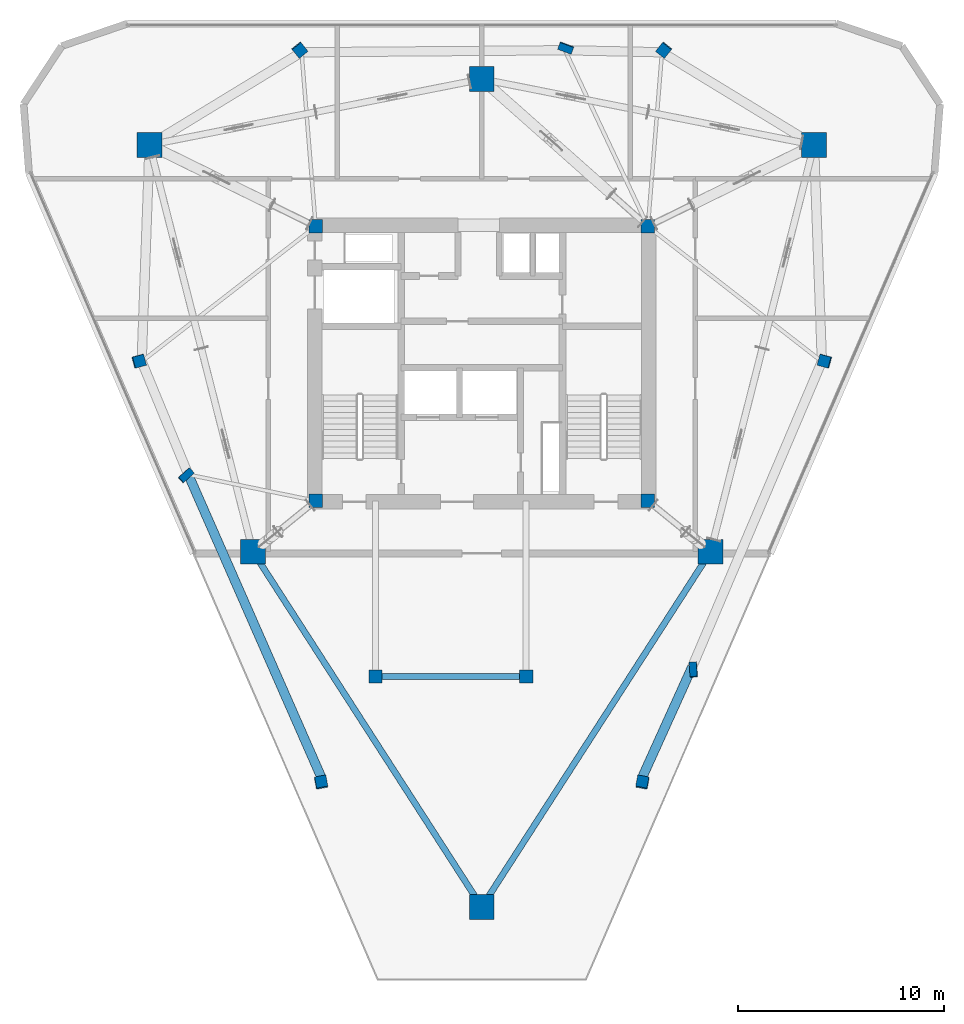
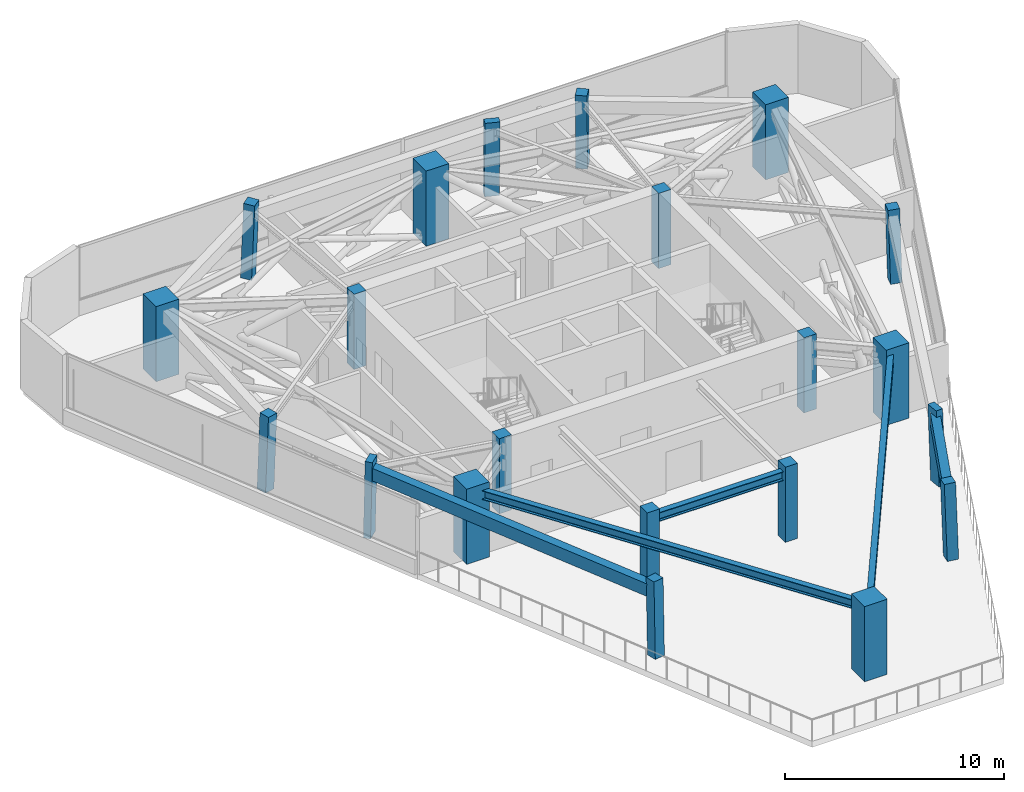
# One storey, part 1 of 10: 21 columns, 5 beams.
"""IFC4 building model written with IfcOpenShell, lengths in metres."""

from ifc_helpers import new_model, si_unit, direction, frame, origin, origin_2d, place, context, subcontext, project, spatial, rectangle, i_section, extrude, material, material_profile, profile_set, type_object, element, save


model = new_model("IFC4")

# Units and contexts
model_context = context("Model", 3, precision=1e-05, world=origin(), true_north=direction((0.0, 1.0)))
body_context = subcontext(model_context, "Body", "Model", "MODEL_VIEW")
ifc_project = project(units=[si_unit("LENGTHUNIT", "METRE"), si_unit("AREAUNIT", "SQUARE_METRE"), si_unit("VOLUMEUNIT", "CUBIC_METRE"), si_unit("PLANEANGLEUNIT", "RADIAN"), si_unit("MASSUNIT", "GRAM", prefix="KILO")], contexts=[model_context])

# Site, building, storey
site_placement = place(None, origin())
site = spatial("IfcSite", under=ifc_project, at=site_placement, CompositionType="ELEMENT")
building_placement = place(site_placement, origin())
building = spatial("IfcBuilding", under=site, at=building_placement, Name="Talyreon Biosciences Tower", CompositionType="ELEMENT")
storey_placement = place(building_placement, frame((0.0, 0.0, 275.39990234375)))
storey = spatial("IfcBuildingStorey", under=building, at=storey_placement, Name="L73", CompositionType="ELEMENT", Elevation=275.39990234375)

# Columns
ifc_material_1 = material(Name="Precast concrete C45/55", Category="concrete")
ifc_material_profile_1 = material_profile(ifc_material_1, rectangle(XDim=0.699951171875, YDim=0.35009765625, at=origin_2d()), Name="RC 700x350")
ifc_profile_set_1 = profile_set([ifc_material_profile_1], Name="Precast concrete C45/55")
column_type_1 = type_object("IfcColumnType", Name="FacadePilaster_700x350", PredefinedType="PILASTER", material=ifc_profile_set_1)
column_1_placement = place(storey_placement, frame((76.263427734375, 53.1533203125, 0.003173828125), z_axis=(-0.017044742667, 0.033333233953, 0.999298940389), x_axis=(0.06435515476, -0.99733516546, 0.034365415657)))
element("IfcColumn", 1, at=column_1_placement, inside=storey, type_object=column_type_1, Name="L73 Facade Pilaster PL-SE", PredefinedType="PILASTER", context=body_context, shape_type="SweptSolid", body=[
    extrude(rectangle(XDim=0.699951171875, YDim=0.35009765625, at=origin_2d()), origin(), (0.0, 0.0, 1.0), 4.19677734375),
])
column_2_placement = place(storey_placement, frame((70.076416015625, 83.311767578125, 0.003173828125), z_axis=(-0.010822566955, -0.029151107766, 0.999516425558), x_axis=(-0.937477612418, 0.348045580658, 0.0)))
element("IfcColumn", 2, at=column_2_placement, inside=storey, type_object=column_type_1, Name="L73 Facade Pilaster PL-N", PredefinedType="PILASTER", context=body_context, shape_type="SweptSolid", body=[
    extrude(rectangle(XDim=0.699951171875, YDim=0.35009765625, at=origin_2d()), origin(), (0.0, 0.0, 1.0), 4.19580078125),
])
column_3_placement = place(storey_placement, frame((51.66015625, 62.583740234375, 0.003173828125), z_axis=(0.027814347103, 0.009193863687, 0.999570825387), x_axis=(0.746647276969, 0.664676441695, -0.026889991628)))
element("IfcColumn", 3, at=column_3_placement, inside=storey, type_object=column_type_1, Name="L73 Facade Pilaster PL-SW", PredefinedType="PILASTER", context=body_context, shape_type="SweptSolid", body=[
    extrude(rectangle(XDim=0.699951171875, YDim=0.35009765625, at=origin_2d()), origin(), (0.0, 0.0, 1.0), 4.195556640625),
])
ifc_material_2 = material(Name="Concrete C50/60", Category="concrete")
ifc_material_profile_2 = material_profile(ifc_material_2, rectangle(XDim=1.199951171875, YDim=1.199951171875, at=origin_2d()), Name="RC 1200x1200")
ifc_profile_set_2 = profile_set([ifc_material_profile_2], Name="Concrete C50/60")
column_type_2 = type_object("IfcColumnType", Name="MegaColumn_1200", PredefinedType="COLUMN", material=ifc_profile_set_2)
for number, where, z_axis, x_axis, name in (
    (4, (66.0, 41.6669921875, 0.0), (0.0, 0.0, 1.0), (1.0, 0.0, 0.0), "L73 Composite Mega-Column MC1"),
    (5, (82.102294921875, 78.5986328125, 0.0), (0.0, 0.0, 1.0), (1.0, 0.0, 0.0), "L73 Composite Mega-Column MC2"),
    (6, (49.897705078125, 78.5986328125, 0.0), (0.0, 0.0, 1.0), (1.0, 0.0, 0.0), "L73 Composite Mega-Column MC3"),
    (7, (77.086181640625, 58.88037109375, 0.0), (0.0, 0.0, 1.0), (1.0, 0.0, 0.0), "L73 Composite Mega-Column MC4"),
    (8, (66.0, 81.788818359375, 0.0), (0.0, 0.0, 1.0), (1.0, 0.0, 0.0), "L73 Composite Mega-Column MC5"),
    (9, (54.913818359375, 58.88037109375, 0.0), (0.0, 0.0, 1.0), (1.0, 0.0, 0.0), "L73 Composite Mega-Column MC6"),
):
    element("IfcColumn", number, at=place(storey_placement, frame(where, z_axis=z_axis, x_axis=x_axis)), inside=storey, type_object=column_type_2, Name=name, PredefinedType="COLUMN", context=body_context, shape_type="SweptSolid", body=[
        extrude(rectangle(XDim=1.199951171875, YDim=1.199951171875, at=origin_2d()), origin(), (0.0, 0.0, 1.0), 4.2001953125),
    ])
ifc_material_profile_3 = material_profile(ifc_material_2, rectangle(XDim=0.550048828125, YDim=0.550048828125, at=origin_2d()), Name="RC 550x550")
ifc_profile_set_3 = profile_set([ifc_material_profile_3], Name="Concrete C50/60")
column_type_3 = type_object("IfcColumnType", Name="PerimeterColumn_550", PredefinedType="COLUMN", material=ifc_profile_set_3)
column_4_placement = place(storey_placement, frame((73.7939453125, 47.69189453125, 0.003173828125), z_axis=(-0.010756866021, 0.047388355714, 0.998818618957), x_axis=(-0.183967133618, -0.981919781093, 0.044605349975)))
element("IfcColumn", 10, at=column_4_placement, inside=storey, type_object=column_type_3, Name="L73 Tapering Perimeter Column PC-SE1", PredefinedType="COLUMN", context=body_context, shape_type="SweptSolid", body=[
    extrude(rectangle(XDim=0.550048828125, YDim=0.550048828125, at=origin_2d()), origin(), (0.0, 0.0, 1.0), 4.19873046875),
])
column_5_placement = place(storey_placement, frame((82.6259765625, 68.12451171875, 0.003173828125), z_axis=(-0.034093161736, -0.004887074379, 0.999406710417), x_axis=(0.964392600392, -0.262578412027, 0.03161470935)))
element("IfcColumn", 11, at=column_5_placement, inside=storey, type_object=column_type_3, Name="L73 Tapering Perimeter Column PC-SE2", PredefinedType="COLUMN", context=body_context, shape_type="SweptSolid", body=[
    extrude(rectangle(XDim=0.550048828125, YDim=0.550048828125, at=origin_2d()), origin(), (0.0, 0.0, 1.0), 4.1962890625),
])
for number, where, z_axis, x_axis, name in (
    (12, (74.83203125, 83.2119140625, 0.003173828125), (-0.023385681876, -0.029144842337, 0.999301600143), (-0.779956681152, 0.625833504637, 0.0), "L73 Tapering Perimeter Column PC-N1"),
    (13, (57.16796875, 83.2119140625, 0.003173828125), (0.023385681876, -0.029144842337, 0.999301600143), (-0.779956681152, -0.625833504637, 0.0), "L73 Tapering Perimeter Column PC-N2"),
):
    element("IfcColumn", number, at=place(storey_placement, frame(where, z_axis=z_axis, x_axis=x_axis)), inside=storey, type_object=column_type_3, Name=name, PredefinedType="COLUMN", context=body_context, shape_type="SweptSolid", body=[
        extrude(rectangle(XDim=0.550048828125, YDim=0.550048828125, at=origin_2d()), origin(), (0.0, 0.0, 1.0), 4.19677734375),
    ])
column_6_placement = place(storey_placement, frame((49.3740234375, 68.12451171875, 0.003173828125), z_axis=(0.034093161736, -0.004887074379, 0.999406710417), x_axis=(0.964392600392, 0.262578412027, -0.03161470935)))
element("IfcColumn", 14, at=column_6_placement, inside=storey, type_object=column_type_3, Name="L73 Tapering Perimeter Column PC-SW1", PredefinedType="COLUMN", context=body_context, shape_type="SweptSolid", body=[
    extrude(rectangle(XDim=0.550048828125, YDim=0.550048828125, at=origin_2d()), origin(), (0.0, 0.0, 1.0), 4.1962890625),
])
column_7_placement = place(storey_placement, frame((58.2060546875, 47.69189453125, 0.003173828125), z_axis=(0.010756866021, 0.047388355714, 0.998818618957), x_axis=(-0.183967133618, 0.981919781093, -0.044605349975)))
element("IfcColumn", 15, at=column_7_placement, inside=storey, type_object=column_type_3, Name="L73 Tapering Perimeter Column PC-SW2", PredefinedType="COLUMN", context=body_context, shape_type="SweptSolid", body=[
    extrude(rectangle(XDim=0.550048828125, YDim=0.550048828125, at=origin_2d()), origin(), (0.0, 0.0, 1.0), 4.19873046875),
])
ifc_material_profile_4 = material_profile(ifc_material_2, rectangle(XDim=0.64990234375, YDim=0.64990234375, at=origin_2d()), Name="RC 650x650")
ifc_profile_set_4 = profile_set([ifc_material_profile_4], Name="Concrete C50/60")
column_type_4 = type_object("IfcColumnType", Name="PerimeterColumn_650", PredefinedType="COLUMN", material=ifc_profile_set_4)
for number, where, z_axis, x_axis, name in (
    (16, (57.949951171875, 61.35009765625, 0.0), (0.0, 0.0, 1.0), (1.0, 0.0, 0.0), "L73 Core Column CC1"),
    (17, (74.050048828125, 61.35009765625, 0.0), (0.0, 0.0, 1.0), (1.0, 0.0, 0.0), "L73 Core Column CC2"),
    (18, (74.050048828125, 74.64990234375, 0.0), (0.0, 0.0, 1.0), (1.0, 0.0, 0.0), "L73 Core Column CC3"),
    (19, (57.949951171875, 74.64990234375, 0.0), (0.0, 0.0, 1.0), (1.0, 0.0, 0.0), "L73 Core Column CC4"),
    (20, (60.85009765625, 52.840087890625, 0.0), (0.0, 0.0, 1.0), (1.0, 0.0, 0.0), "L73 Core Column CSW"),
    (21, (68.14990234375, 52.840087890625, 0.0), (0.0, 0.0, 1.0), (1.0, 0.0, 0.0), "L73 Core Column CSE"),
):
    element("IfcColumn", number, at=place(storey_placement, frame(where, z_axis=z_axis, x_axis=x_axis)), inside=storey, type_object=column_type_4, Name=name, PredefinedType="COLUMN", context=body_context, shape_type="SweptSolid", body=[
        extrude(rectangle(XDim=0.64990234375, YDim=0.64990234375, at=origin_2d()), origin(), (0.0, 0.0, 1.0), 4.2001953125),
    ])

# Beams
ifc_material_profile_5 = material_profile(ifc_material_1, rectangle(XDim=0.449951171875, YDim=0.699951171875, at=origin_2d()), Name="RCB 450x700")
ifc_profile_set_5 = profile_set([ifc_material_profile_5], Name="Precast concrete C45/55")
beam_type_1 = type_object("IfcBeamType", Name="ExpressedSpandrel_450x700", PredefinedType="SPANDREL", material=ifc_profile_set_5)
beam_1_placement = place(storey_placement, frame((73.748779296875, 47.890869140625, 3.5), z_axis=(0.412055555977, 0.911158723159, 0.0), x_axis=(-0.911158723159, 0.412055555977, 0.0)))
element("IfcBeam", 22, at=beam_1_placement, inside=storey, type_object=beam_type_1, Name="L73 Expressed Horizontal Concrete Spandrel 02", PredefinedType="SPANDREL", context=body_context, shape_type="SweptSolid", body=[
    extrude(rectangle(XDim=0.449951171875, YDim=0.699951171875, at=origin_2d()), origin(), (0.0, 0.0, 1.0), 5.92919921875),
])
beam_2_placement = place(storey_placement, frame((51.77685546875, 62.622314453125, 3.5), z_axis=(0.402349614211, -0.915486093801, 0.0), x_axis=(0.915486093801, 0.402349614211, 0.0)))
element("IfcBeam", 23, at=beam_2_placement, inside=storey, type_object=beam_type_1, Name="L73 Expressed Horizontal Concrete Spandrel 11", PredefinedType="SPANDREL", context=body_context, shape_type="SweptSolid", body=[
    extrude(rectangle(XDim=0.449951171875, YDim=0.699951171875, at=origin_2d()), origin(), (0.0, 0.0, 1.0), 16.09130859375),
])
ifc_material_3 = material(Name="Steel SM355", Category="steel")
ifc_material_profile_6 = material_profile(ifc_material_3, i_section(OverallWidth=0.300048828125, OverallDepth=0.5, WebThickness=0.014404296875, FlangeThickness=0.028076171875, FilletRadius=0.027099609375, at=origin_2d()), Name="HE500B")
ifc_profile_set_6 = profile_set([ifc_material_profile_6], Name="Steel SM355")
beam_type_2 = type_object("IfcBeamType", Name="SteelBeam_HE500B", PredefinedType="BEAM", material=ifc_profile_set_6)
for number, where, z_axis, x_axis, name in (
    (24, (66.0, 41.6669921875, 3.60009765625), (0.541463723609, 0.840724114092, 0.0), (-0.840724114092, 0.541463723609, 0.0), "L73 Mega-Ring Girder 1"),
    (25, (54.913818359375, 58.88037109375, 3.60009765625), (0.541463723609, -0.840724114092, 0.0), (0.840724114092, 0.541463723609, 0.0), "L73 Mega-Ring Girder 6"),
):
    element("IfcBeam", number, at=place(storey_placement, frame(where, z_axis=z_axis, x_axis=x_axis)), inside=storey, type_object=beam_type_2, Name=name, PredefinedType="BEAM", context=body_context, shape_type="SweptSolid", body=[
        extrude(i_section(OverallWidth=0.300048828125, OverallDepth=0.5, WebThickness=0.014404296875, FlangeThickness=0.028076171875, FilletRadius=0.027099609375, at=origin_2d()), origin(), (0.0, 0.0, 1.0), 20.474365234375),
    ])
beam_3_placement = place(storey_placement, frame((60.85009765625, 52.840087890625, 3.60009765625), z_axis=(1.0, 0.0, 0.0), x_axis=(0.0, 1.0, 0.0)))
element("IfcBeam", 26, at=beam_3_placement, inside=storey, type_object=beam_type_2, Name="L73 Crown Shaft Spine Girder S", PredefinedType="BEAM", context=body_context, shape_type="SweptSolid", body=[
    extrude(i_section(OverallWidth=0.300048828125, OverallDepth=0.5, WebThickness=0.014404296875, FlangeThickness=0.028076171875, FilletRadius=0.027099609375, at=origin_2d()), origin(), (0.0, 0.0, 1.0), 7.2998046875),
])

save(model, "model.ifc")
